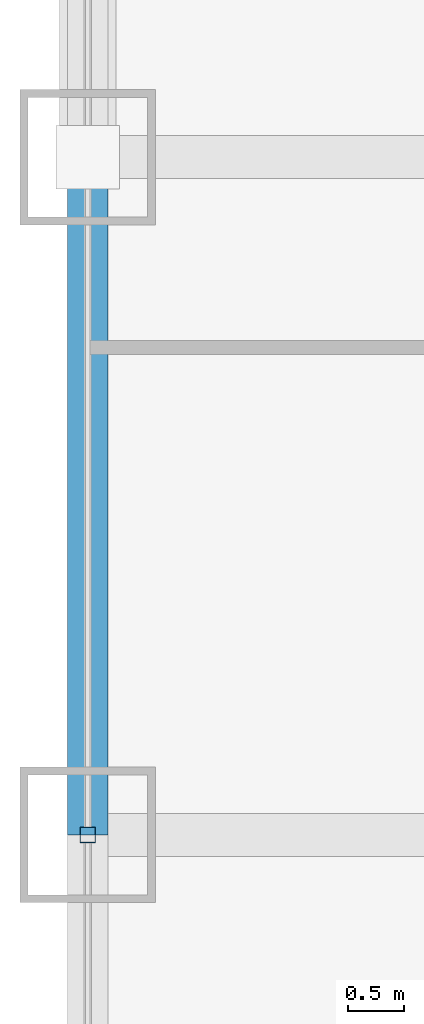
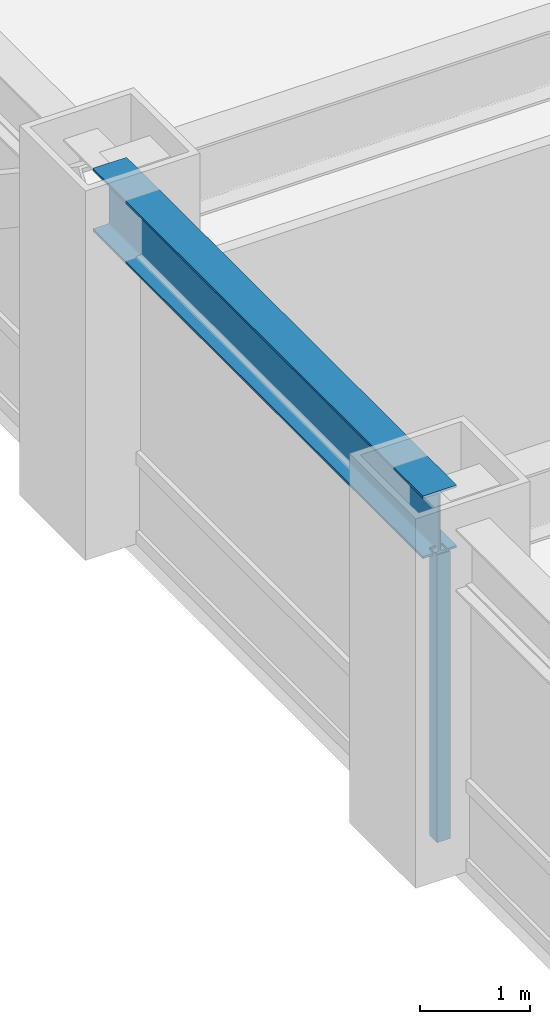
# One storey, part 8 of 28: 1 beam, 1 member, 1 element without a shape of its own.
"""IFC4 building model written with IfcOpenShell, lengths in metres."""

import ifcopenshell
import ifcopenshell.guid

model = None  # the IFC model being written
_history = None  # IfcOwnerHistory: only IFC2X3 demands one
_inside = {}  # id of a spatial element -> (the spatial element, [elements in it])
_under = {}  # id of a project, library or spatial element -> (it, [spatial elements below it])
_declared = {}  # id of a project -> (the project, [libraries it declares])
_typed = {}  # id of a type object -> (the type object, [elements of that type])
_made_of = {}  # id of a material, layer set ... -> (it, [elements and type objects made of it])


def new_model(schema):
    """Start an empty IFC model of exactly this schema.

    Asked for "IFC4X3", IfcOpenShell would pick the latest addendum, in which some entities
    have other attributes; the version numbers below select the first issue.
    IFC2X3 requires an IfcOwnerHistory on every rooted entity: one is made here for all.
    """
    global model, _history
    if schema == "IFC4X3":
        model = ifcopenshell.file(schema_version=(4, 3, 0, 0))
    else:
        model = ifcopenshell.file(schema=schema)
    _inside.clear()
    _under.clear()
    _declared.clear()
    _typed.clear()
    _made_of.clear()
    _history = None
    if model.schema == "IFC2X3":
        org = make("IfcOrganization", Name="unknown")
        user = make(
            "IfcPersonAndOrganization",
            ThePerson=make("IfcPerson", FamilyName="unknown"),
            TheOrganization=org,
        )
        app = make(
            "IfcApplication",
            ApplicationDeveloper=org,
            Version="unknown",
            ApplicationFullName="unknown",
            ApplicationIdentifier="unknown",
        )
        _history = make(
            "IfcOwnerHistory",
            OwningUser=user,
            OwningApplication=app,
            ChangeAction="ADDED",
            CreationDate=0,
        )
    return model


def make(cls, **values):
    """One entity of the class cls with the attributes given. An attribute that is None is left unset."""
    return model.create_entity(
        cls, **{name: value for name, value in values.items() if value is not None}
    )


def rooted(cls, **values):
    """An entity with a GlobalId (a new one), such as an element, a storey or a relation."""
    return make(cls, GlobalId=ifcopenshell.guid.new(), OwnerHistory=_history, **values)


def si_unit(unit_type, name, prefix=None):
    """IfcSIUnit, for example si_unit("LENGTHUNIT", "METRE", prefix="MILLI")."""
    return make("IfcSIUnit", UnitType=unit_type, Prefix=prefix, Name=name)


def assignment(units):
    """IfcUnitAssignment: the units of a project."""
    return None if units is None else make("IfcUnitAssignment", Units=units)


def point(xyz):
    """IfcCartesianPoint."""
    return None if xyz is None else make("IfcCartesianPoint", Coordinates=xyz)


def direction(xyz):
    """IfcDirection."""
    return None if xyz is None else make("IfcDirection", DirectionRatios=xyz)


def frame(location, z_axis=None, x_axis=None):
    """IfcAxis2Placement3D, a coordinate frame: its origin and axes. An axis left out is left unset."""
    return make(
        "IfcAxis2Placement3D",
        Location=point(location),
        Axis=direction(z_axis),
        RefDirection=direction(x_axis),
    )


def frame_2d(location, x_axis=None):
    """IfcAxis2Placement2D, a coordinate frame in the plane: its origin and x axis."""
    return make(
        "IfcAxis2Placement2D", Location=point(location), RefDirection=direction(x_axis)
    )


def origin():
    """The frame at (0, 0, 0) with its axes left unset."""
    return frame((0.0, 0.0, 0.0))


def origin_2d():
    """The frame at (0, 0) in the plane with its x axis left unset."""
    return frame_2d((0.0, 0.0))


def place(relative_to, where):
    """IfcLocalPlacement: puts the frame where relative to a parent placement (None: the world)."""
    return make(
        "IfcLocalPlacement", PlacementRelTo=relative_to, RelativePlacement=where
    )


def context(
    kind, dimensions, precision=None, world=None, true_north=None, identifier=None
):
    """IfcGeometricRepresentationContext, for example the 3D "Model" context."""
    return make(
        "IfcGeometricRepresentationContext",
        ContextIdentifier=identifier,
        ContextType=kind,
        CoordinateSpaceDimension=dimensions,
        Precision=precision,
        WorldCoordinateSystem=world,
        TrueNorth=true_north,
    )


def subcontext(parent, identifier, kind, view, scale=None):
    """IfcGeometricRepresentationSubContext, for example "Body" below "Model"."""
    return make(
        "IfcGeometricRepresentationSubContext",
        ContextIdentifier=identifier,
        ContextType=kind,
        ParentContext=parent,
        TargetScale=scale,
        TargetView=view,
    )


def project(units=None, contexts=None):
    """IfcProject with its units and contexts."""
    return rooted(
        "IfcProject",
        Name="project",
        RepresentationContexts=contexts,
        UnitsInContext=assignment(units),
    )


def spatial(cls, under=None, at=None, **own):
    """A site, building, storey or space (cls), placed at a placement, below another one or the project."""
    s = rooted(cls, ObjectPlacement=at, **own)
    if under is not None:
        _under.setdefault(under.id(), (under, []))[1].append(s)
    return s


def profile(cls, at=None, kind="AREA", **sizes):
    """A parametric profile (cls). Its sizes go by their IFC names, for example OverallWidth=200.0."""
    return make(cls, ProfileType=kind, Position=at, **sizes)


def hollow_rectangle(**sizes):
    """IfcRectangleHollowProfileDef."""
    return profile("IfcRectangleHollowProfileDef", **sizes)


def i_section(**sizes):
    """IfcIShapeProfileDef."""
    return profile("IfcIShapeProfileDef", **sizes)


def extrude(swept, where, along, depth):
    """IfcExtrudedAreaSolid: the profile swept, set in the frame where, extruded along a direction by depth."""
    return make(
        "IfcExtrudedAreaSolid",
        SweptArea=swept,
        Position=where,
        ExtrudedDirection=direction(along),
        Depth=depth,
    )


def shape(context_of_items, identifier, shape_type, items):
    """IfcShapeRepresentation: the items that make up one representation, for example the "Body"."""
    return make(
        "IfcShapeRepresentation",
        ContextOfItems=context_of_items,
        RepresentationIdentifier=identifier,
        RepresentationType=shape_type,
        Items=items,
    )


def source(mapping_origin, context_of_items, identifier, shape_type, items):
    """IfcRepresentationMap: a shape defined once, which mapped items show again and again."""
    return make(
        "IfcRepresentationMap",
        MappingOrigin=mapping_origin,
        MappedRepresentation=shape(context_of_items, identifier, shape_type, items),
    )


def transform(
    local_origin,
    x_axis=None,
    y_axis=None,
    z_axis=None,
    scale=None,
    scale2=None,
    scale3=None,
    uniform=True,
):
    """IfcCartesianTransformationOperator3D, or its non-uniform kind. x_axis, y_axis, z_axis: its Axis1, 2, 3."""
    if uniform:
        return make(
            "IfcCartesianTransformationOperator3D",
            Axis1=direction(x_axis),
            Axis2=direction(y_axis),
            LocalOrigin=point(local_origin),
            Scale=scale,
            Axis3=direction(z_axis),
        )
    return make(
        "IfcCartesianTransformationOperator3DnonUniform",
        Axis1=direction(x_axis),
        Axis2=direction(y_axis),
        LocalOrigin=point(local_origin),
        Scale=scale,
        Axis3=direction(z_axis),
        Scale2=scale2,
        Scale3=scale3,
    )


def mapped(mapping_source, mapping_target):
    """IfcMappedItem: shows the shape of a source again, moved by a transform."""
    return make(
        "IfcMappedItem", MappingSource=mapping_source, MappingTarget=mapping_target
    )


def material(Name=None, Category=None):
    """IfcMaterial."""
    return make("IfcMaterial", Name=Name, Category=Category)


def material_profile(
    of_material, cross_section, Name=None, Category=None, Priority=None
):
    """IfcMaterialProfile: a cross section and its material."""
    return make(
        "IfcMaterialProfile",
        Name=Name,
        Material=of_material,
        Profile=cross_section,
        Priority=Priority,
        Category=Category,
    )


def profile_set(profiles, Name=None, composite=None):
    """IfcMaterialProfileSet."""
    return make(
        "IfcMaterialProfileSet",
        Name=Name,
        MaterialProfiles=profiles,
        CompositeProfile=composite,
    )


def made_of(thing, what):
    """Note that an element or type object is made of a material, layer set ...; save() writes the relation."""
    if what is not None:
        _made_of.setdefault(what.id(), (what, []))[1].append(thing)
    return thing


def type_object(cls, material=None, **own):
    """A type object (cls), such as IfcWallType, which elements share."""
    return made_of(rooted(cls, **own), material)


def element(
    cls,
    number,
    at=None,
    inside=None,
    cuts=None,
    type_object=None,
    material=None,
    context=None,
    identifier="Body",
    shape_type=None,
    held_by="IfcProductDefinitionShape",
    body=None,
    shapes=None,
    **own,
):
    """One element of the class cls, such as IfcWall. Its Tag is "e" and its number.

    at: its placement. inside: the storey or other place that contains it. cuts: it is an
    opening in that element (IfcRelVoidsElement). A single representation is given by context,
    identifier, shape_type and body (its items); several are given by shapes. held_by: the class
    of the entity that holds the representations. save() writes the other relations.
    """
    e = rooted(cls, Tag="e%d" % number, ObjectPlacement=at, **own)
    if body is not None:
        shapes = [shape(context, identifier, shape_type, body)]
    if shapes is not None:
        e.Representation = make(held_by, Representations=shapes)
    if inside is not None:
        _inside.setdefault(inside.id(), (inside, []))[1].append(e)
    if cuts is not None:
        rooted(
            "IfcRelVoidsElement", RelatingBuildingElement=cuts, RelatedOpeningElement=e
        )
    if type_object is not None:
        _typed.setdefault(type_object.id(), (type_object, []))[1].append(e)
    return made_of(e, material)


def aggregate(whole, parts):
    """IfcRelAggregates: a whole, such as a stair, and the parts it consists of."""
    return rooted("IfcRelAggregates", RelatingObject=whole, RelatedObjects=parts)


def save(model, path):
    """Write the relations noted so far, then the file.

    IfcRelAggregates (storeys below a building ...), IfcRelContainedInSpatialStructure (elements
    in a storey), IfcRelDefinesByType, IfcRelAssociatesMaterial and IfcRelDeclares: one each for
    every whole, place, type object, material and project.
    """
    for whole, parts in _under.values():
        aggregate(whole, parts)
    for where, things in _inside.values():
        rooted(
            "IfcRelContainedInSpatialStructure",
            RelatedElements=things,
            RelatingStructure=where,
        )
    for kind, things in _typed.values():
        rooted("IfcRelDefinesByType", RelatedObjects=things, RelatingType=kind)
    for what, things in _made_of.values():
        rooted("IfcRelAssociatesMaterial", RelatedObjects=things, RelatingMaterial=what)
    for by, libraries in _declared.values():
        rooted("IfcRelDeclares", RelatingContext=by, RelatedDefinitions=libraries)
    model.write(path)


model = new_model("IFC4")

# Units and contexts
model_context = context("Model", 3, precision=1e-05, world=origin(), true_north=direction((0.0, 1.0)))
body_context = subcontext(model_context, "Body", "Model", "MODEL_VIEW")
ifc_project = project(units=[si_unit("LENGTHUNIT", "METRE"), si_unit("AREAUNIT", "SQUARE_METRE"), si_unit("VOLUMEUNIT", "CUBIC_METRE"), si_unit("PLANEANGLEUNIT", "RADIAN"), si_unit("MASSUNIT", "GRAM", prefix="KILO")], contexts=[model_context])

# Site, building, storey
site_placement = place(None, origin())
site = spatial("IfcSite", under=ifc_project, at=site_placement, CompositionType="ELEMENT")
building_placement = place(site_placement, origin())
building = spatial("IfcBuilding", under=site, at=building_placement, Name="Khorayat Bourse Tower", CompositionType="ELEMENT")
storey_placement = place(building_placement, frame((0.0, 0.0, 124.199951171875)))
storey = spatial("IfcBuildingStorey", under=building, at=storey_placement, Name="L28", CompositionType="ELEMENT", Elevation=124.199951171875)

# Beam
ifc_material_1 = material(Name="Steel ASTM A992 Grade 50", Category="steel")
ifc_material_profile_1 = material_profile(ifc_material_1, i_section(OverallWidth=0.35498046875, OverallDepth=0.695068359375, WebThickness=0.015380859375, FlangeThickness=0.02490234375, FilletRadius=0.01806640625, at=origin_2d()), Name="W690X217")
ifc_profile_set_1 = profile_set([ifc_material_profile_1], Name="Steel ASTM A992 Grade 50")
beam_type = type_object("IfcBeamType", Name="BM-SPAN-690", PredefinedType="SPANDREL", material=ifc_profile_set_1)
shared_shape_1 = source(origin(), body_context, "Body", "SweptSolid", [
    extrude(i_section(OverallWidth=0.35498046875, OverallDepth=0.695068359375, WebThickness=0.015380859375, FlangeThickness=0.02490234375, FilletRadius=0.01806640625, at=origin_2d()), origin(), (0.0, 0.0, 1.0), 6.0),
])
beam_placement = place(storey_placement, frame((-32.0, 0.0, 3.492431640625), z_axis=(0.0, 1.0, 0.0), x_axis=(-1.0, 0.0, 0.0)))
element("IfcBeam", 1, at=beam_placement, inside=storey, type_object=beam_type, Name="L28 BM-SPAN-690 BM-L28-SPN-057", PredefinedType="SPANDREL", context=body_context, shape_type="MappedRepresentation", body=[
    mapped(shared_shape_1, transform((0.0, 0.0, 0.0), scale=1.0)),
])

# Curtain wall, member
ifc_material_2 = material(Name="Aluminium EN AW-6063 T6", Category="aluminium")
curtain_wall_type = type_object("IfcCurtainWallType", Name="CW-SYS-02", PredefinedType="NOTDEFINED", material=ifc_material_2)
curtain_wall_placement = place(storey_placement, origin())
curtain_wall = element("IfcCurtainWall", 2, at=curtain_wall_placement, inside=storey, type_object=curtain_wall_type, Name="L28 Curtain Wall CW-L28-W1", PredefinedType="NOTDEFINED")
ifc_material_profile_2 = material_profile(ifc_material_2, hollow_rectangle(XDim=0.139892578125, YDim=0.139892578125, WallThickness=0.006103515625, at=origin_2d()), Name="ALU 140x140x6")
ifc_profile_set_2 = profile_set([ifc_material_profile_2], Name="Aluminium EN AW-6063 T6")
member_type = type_object("IfcMemberType", Name="CWM-VERT-140", PredefinedType="MULLION", material=ifc_profile_set_2)
shared_shape_2 = source(origin(), body_context, "Body", "SweptSolid", [
    extrude(hollow_rectangle(XDim=0.139892578125, YDim=0.139892578125, WallThickness=0.006103515625, at=origin_2d()), origin(), (0.0, 0.0, 1.0), 3.18994140625),
])
member_placement = place(storey_placement, frame((-32.0, 0.0, 0.0), z_axis=(0.0, 0.0, 1.0), x_axis=(-1.0, 0.0, 0.0)))
member = element("IfcMember", 3, at=member_placement, type_object=member_type, Name="CW-L28-W1 Vertical Mullion 2", PredefinedType="MULLION", context=body_context, shape_type="MappedRepresentation", body=[
    mapped(shared_shape_2, transform((0.0, 0.0, 0.0), scale=1.0)),
])
aggregate(curtain_wall, [member])

save(model, "model.ifc")
